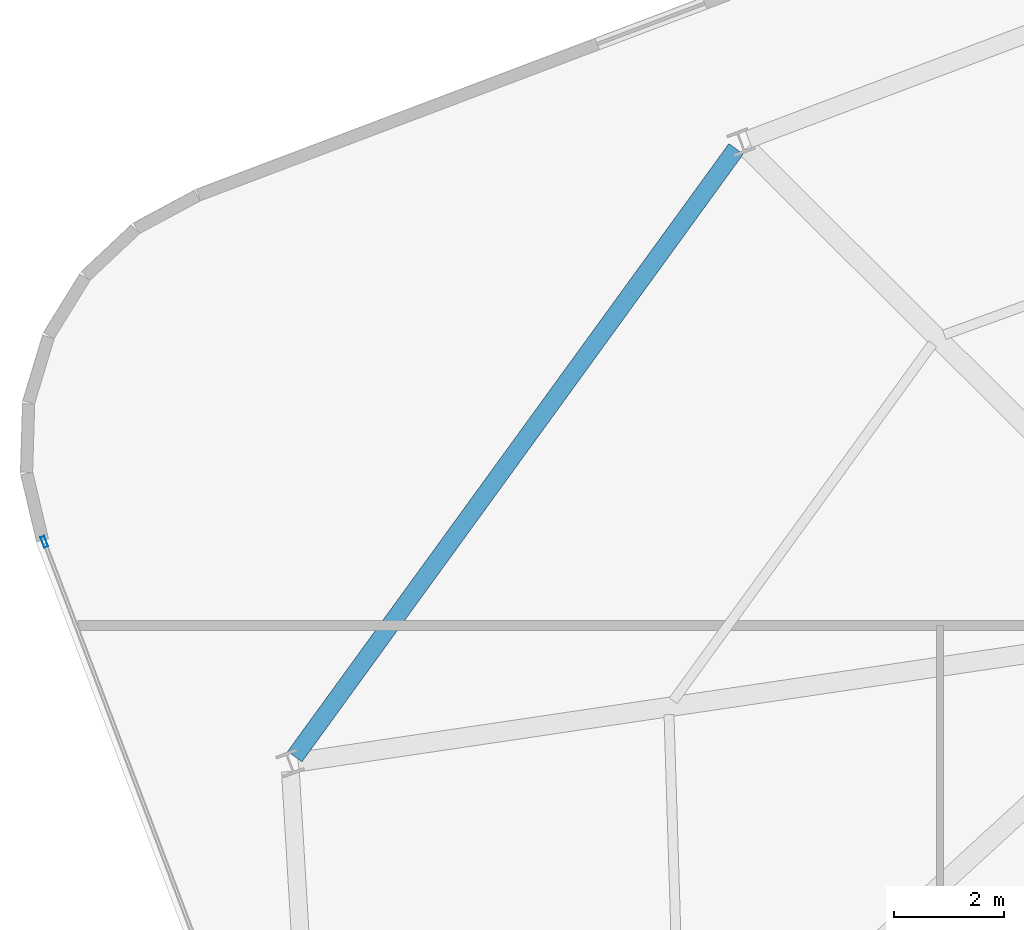
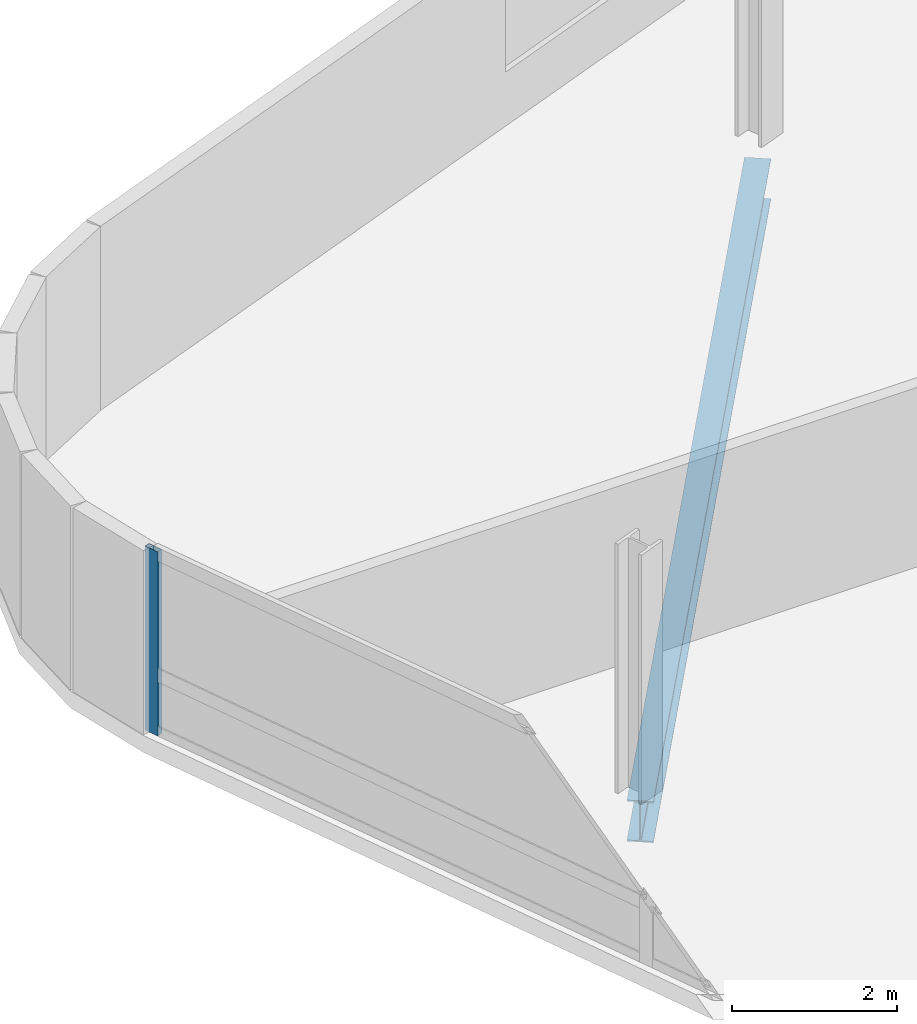
# One storey, part 8 of 19: 1 beam, 1 member, 1 element without a shape of its own.
"""IFC4 building model written with IfcOpenShell, lengths in metres."""

from ifc_helpers import new_model, si_unit, direction, frame, origin, origin_2d, place, context, subcontext, project, spatial, hollow_rectangle, i_section, extrude, material, layer, layer_set, material_profile, profile_set, type_object, element, aggregate, save


model = new_model("IFC4")

# Units and contexts
model_context = context("Model", 3, precision=1e-05, world=origin(), true_north=direction((0.0, 1.0)))
body_context = subcontext(model_context, "Body", "Model", "MODEL_VIEW")
ifc_project = project(units=[si_unit("LENGTHUNIT", "METRE"), si_unit("AREAUNIT", "SQUARE_METRE"), si_unit("VOLUMEUNIT", "CUBIC_METRE"), si_unit("PLANEANGLEUNIT", "RADIAN"), si_unit("MASSUNIT", "GRAM", prefix="KILO")], contexts=[model_context])

# Site, building, storey
site_placement = place(None, origin())
site = spatial("IfcSite", under=ifc_project, at=site_placement, CompositionType="ELEMENT")
building_placement = place(site_placement, origin())
building = spatial("IfcBuilding", under=site, at=building_placement, Name="Varnelok Gate Tower", CompositionType="ELEMENT")
storey_placement = place(building_placement, frame((0.0, 0.0, 231.199951171875)))
storey = spatial("IfcBuildingStorey", under=building, at=storey_placement, Name="L59", CompositionType="ELEMENT", Elevation=231.199951171875)

# Beam
ifc_material_1 = material(Name="Structural Steel ASTM A992 Grade 50", Category="steel")
ifc_material_profile_1 = material_profile(ifc_material_1, i_section(OverallWidth=0.323974609375, OverallDepth=0.611083984375, WebThickness=0.0126953125, FlangeThickness=0.01904296875, FilletRadius=0.01806640625, at=origin_2d()), Name="W24X104")
ifc_profile_set_1 = profile_set([ifc_material_profile_1], Name="Structural Steel ASTM A992 Grade 50")
beam_type = type_object("IfcBeamType", Name="BM-SPN-W24X104", PredefinedType="SPANDREL", material=ifc_profile_set_1)
beam_placement = place(storey_placement, frame((15.479736328125, 35.35009765625, -0.555419921875), z_axis=(-0.587549324529, -0.80918835338, 0.0), x_axis=(0.80918835338, -0.587549324529, 0.0)))
element("IfcBeam", 1, at=beam_placement, inside=storey, type_object=beam_type, Name="L59 Perimeter Spandrel Beam 13", PredefinedType="SPANDREL", context=body_context, shape_type="SweptSolid", body=[
    extrude(i_section(OverallWidth=0.323974609375, OverallDepth=0.611083984375, WebThickness=0.0126953125, FlangeThickness=0.01904296875, FilletRadius=0.01806640625, at=origin_2d()), origin(), (0.0, 0.0, 1.0), 13.6953125),
])

# Curtain wall, member
ifc_material_2 = material(Name="Anodized Aluminum Alloy 6063-T6", Category="aluminium")
ifc_layer = layer(ifc_material_2, 0.179931640625)
ifc_layer_set = layer_set([ifc_layer], Name="Anodized Aluminum Alloy 6063-T6")
curtain_wall_type = type_object("IfcCurtainWallType", Name="CW4-RESIDENCE-VISION", PredefinedType="USERDEFINED", material=ifc_layer_set)
curtain_wall_placement = place(storey_placement, origin())
curtain_wall = element("IfcCurtainWall", 2, at=curtain_wall_placement, inside=storey, type_object=curtain_wall_type, Name="L59 West End Vision Curtain Wall", ObjectType="UNITISED CURTAIN WALL", PredefinedType="USERDEFINED")
ifc_material_profile_2 = material_profile(ifc_material_2, hollow_rectangle(XDim=0.074951171875, YDim=0.199951171875, WallThickness=0.00390625, at=origin_2d()), Name="ALU200X75X4")
ifc_profile_set_2 = profile_set([ifc_material_profile_2], Name="Anodized Aluminum Alloy 6063-T6")
member_type = type_object("IfcMemberType", Name="CW-MULL-200", PredefinedType="MULLION", material=ifc_profile_set_2)
member_placement = place(storey_placement, frame((2.864990234375, 28.1845703125, 0.0), z_axis=(0.0, 0.0, 1.0), x_axis=(-0.935221557832, -0.354063042079, 0.0)))
member = element("IfcMember", 3, at=member_placement, type_object=member_type, Name="CW4 mullion 5", PredefinedType="MULLION", context=body_context, shape_type="SweptSolid", body=[
    extrude(hollow_rectangle(XDim=0.074951171875, YDim=0.199951171875, WallThickness=0.00390625, at=origin_2d()), origin(), (0.0, 0.0, 1.0), 2.72998046875),
])
aggregate(curtain_wall, [member])

save(model, "model.ifc")
